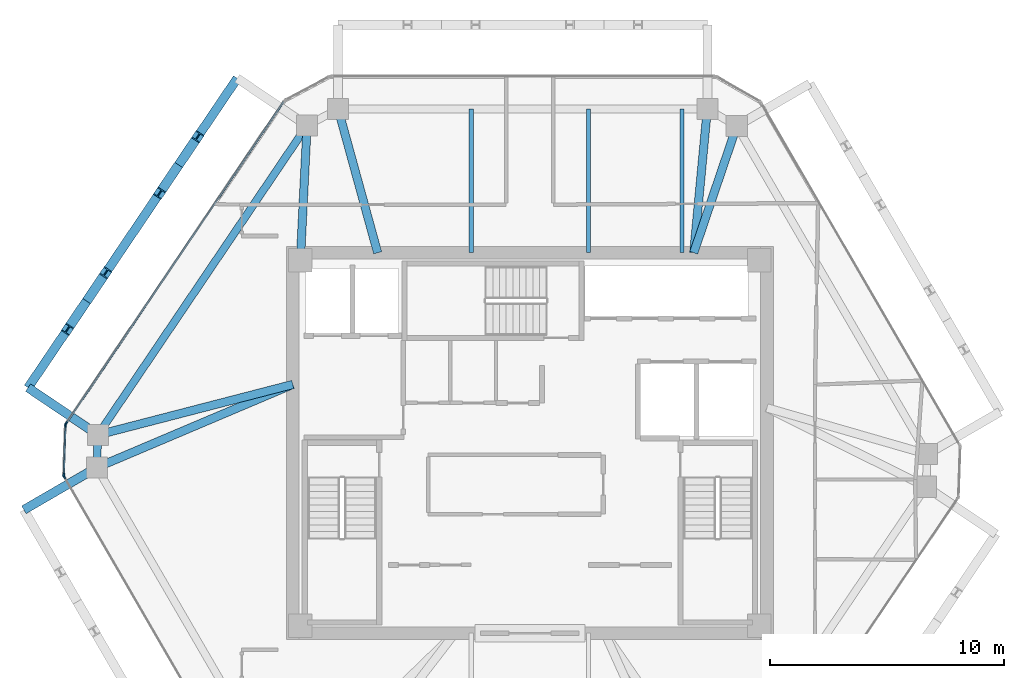
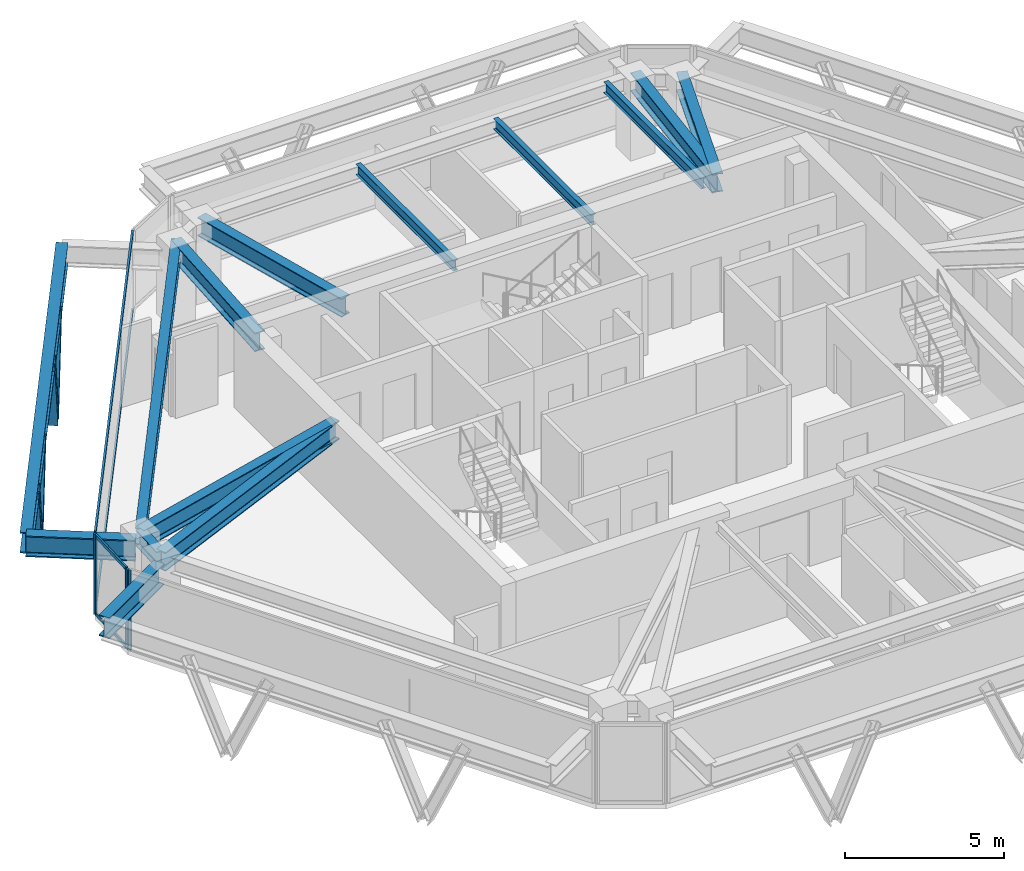
# One storey, part 4 of 11: 14 beams, 12 members, 3 elements without a shape of their own.
"""IFC4 building model written with IfcOpenShell, lengths in metres."""

from ifc_helpers import new_model, si_unit, direction, frame, origin, origin_2d, place, context, subcontext, project, spatial, rectangle, i_section, extrude, source, transform, mapped, material, layer, layer_set, material_profile, profile_set, type_object, type_shapes, element, aggregate, save


model = new_model("IFC4")

# Units and contexts
model_context = context("Model", 3, precision=1e-05, world=origin(), true_north=direction((0.0, 1.0)))
body_context = subcontext(model_context, "Body", "Model", "MODEL_VIEW")
ifc_project = project(units=[si_unit("LENGTHUNIT", "METRE"), si_unit("AREAUNIT", "SQUARE_METRE"), si_unit("VOLUMEUNIT", "CUBIC_METRE"), si_unit("PLANEANGLEUNIT", "RADIAN"), si_unit("MASSUNIT", "GRAM", prefix="KILO")], contexts=[model_context])

# Site, building, storey
site_placement = place(None, origin())
site = spatial("IfcSite", under=ifc_project, at=site_placement, CompositionType="ELEMENT")
building_placement = place(site_placement, origin())
building = spatial("IfcBuilding", under=site, at=building_placement, Name="Durnholm Broadcast Tower", CompositionType="ELEMENT")
storey_placement = place(building_placement, frame((0.0, 0.0, 218.300048828125)))
storey = spatial("IfcBuildingStorey", under=building, at=storey_placement, Name="L60", CompositionType="ELEMENT", Elevation=218.300048828125)

# Beams
ifc_material_1 = material(Name="Steel ASTM A992 Grade 50", Category="steel")
ifc_material_profile_1 = material_profile(ifc_material_1, i_section(OverallWidth=0.385009765625, OverallDepth=0.802978515625, WebThickness=0.023681640625, FlangeThickness=0.0419921875, FilletRadius=0.032958984375, at=origin_2d()), Name="W30X261")
ifc_profile_set_1 = profile_set([ifc_material_profile_1], Name="Steel ASTM A992 Grade 50")
beam_type_1 = type_object("IfcBeamType", Name="BM-EXO-TIE", PredefinedType="USERDEFINED", material=ifc_profile_set_1)
shared_shape_1 = source(origin(), body_context, "Body", "SweptSolid", [
    extrude(i_section(OverallWidth=0.385009765625, OverallDepth=0.802978515625, WebThickness=0.023681640625, FlangeThickness=0.0419921875, FilletRadius=0.032958984375, at=origin_2d()), origin(), (0.0, 0.0, 1.0), 3.4560546875),
])
for number, where, z_axis, x_axis, name in (
    (1, (-18.565673828125, 0.426513671875, 2.30859375), (-0.828413564093, 0.56011692246, 0.0), (-0.56011692246, -0.828413564093, 0.0), "L60 exoskeleton stand-off tie bracket F5.2"),
    (2, (-18.618896484375, -1.1201171875, 2.30859375), (-0.864876013532, -0.501985538852, 0.0), (0.501985538852, -0.864876013532, 0.0), "L60 exoskeleton stand-off tie bracket F6.1"),
):
    element("IfcBeam", number, at=place(storey_placement, frame(where, z_axis=z_axis, x_axis=x_axis)), inside=storey, type_object=beam_type_1, Name=name, ObjectType="GIRDER", PredefinedType="USERDEFINED", context=body_context, shape_type="MappedRepresentation", body=[
        mapped(shared_shape_1, transform((0.0, 0.0, 0.0), x_axis=(1.0, 0.0, 0.0), y_axis=(0.0, 1.0, 0.0), z_axis=(0.0, 0.0, 1.0), scale=1.0)),
    ])
ifc_material_profile_2 = material_profile(ifc_material_1, i_section(OverallWidth=0.3251953125, OverallDepth=0.6162109375, WebThickness=0.013916015625, FlangeThickness=0.021484375, FilletRadius=0.02783203125, at=origin_2d()), Name="W24X117")
ifc_profile_set_2 = profile_set([ifc_material_profile_2], Name="Steel ASTM A992 Grade 50")
beam_type_2 = type_object("IfcBeamType", Name="STL-SP-W24X117", PredefinedType="SPANDREL", material=ifc_profile_set_2)
shared_shape_2 = source(origin(), body_context, "Body", "SweptSolid", [
    extrude(i_section(OverallWidth=0.3251953125, OverallDepth=0.6162109375, WebThickness=0.013916015625, FlangeThickness=0.021484375, FilletRadius=0.02783203125, at=origin_2d()), origin(), (0.0, 0.0, 1.0), 1.39453125),
])
beam_1_placement = place(storey_placement, frame((-18.494384765625, -1.0478515625, 2.73681640625), z_axis=(0.034486393061, 0.999405167434, 0.0), x_axis=(-0.999405167434, 0.034486393061, 0.0)))
element("IfcBeam", 3, at=beam_1_placement, inside=storey, type_object=beam_type_2, Name="L60 perimeter spandrel girder 02", PredefinedType="SPANDREL", context=body_context, shape_type="MappedRepresentation", body=[
    mapped(shared_shape_2, transform((0.0, 0.0, 0.0), x_axis=(1.0, 0.0, 0.0), y_axis=(0.0, 1.0, 0.0), z_axis=(0.0, 0.0, 1.0), scale=1.0)),
])
shared_shape_3 = source(origin(), body_context, "Body", "SweptSolid", [
    extrude(i_section(OverallWidth=0.3251953125, OverallDepth=0.6162109375, WebThickness=0.013916015625, FlangeThickness=0.021484375, FilletRadius=0.02783203125, at=origin_2d()), origin(), (0.0, 0.0, 1.0), 15.947265625),
])
type_shapes(beam_type_2, [shared_shape_2, shared_shape_3])
beam_2_placement = place(storey_placement, frame((-18.4462890625, 0.345947265625, 2.73681640625), z_axis=(0.560062212489, 0.828450552623, 0.0), x_axis=(-0.828450552623, 0.560062212489, 0.0)))
element("IfcBeam", 4, at=beam_2_placement, inside=storey, type_object=beam_type_2, Name="L60 perimeter spandrel girder 03", PredefinedType="SPANDREL", context=body_context, shape_type="MappedRepresentation", body=[
    mapped(shared_shape_3, transform((0.0, 0.0, 0.0), x_axis=(1.0, 0.0, 0.0), y_axis=(0.0, 1.0, 0.0), z_axis=(0.0, 0.0, 1.0), scale=1.0)),
])
ifc_material_profile_3 = material_profile(ifc_material_1, i_section(OverallWidth=0.3564453125, OverallDepth=0.713623046875, WebThickness=0.01904296875, FlangeThickness=0.033935546875, FilletRadius=0.030517578125, at=origin_2d()), Name="W27X194")
ifc_profile_set_3 = profile_set([ifc_material_profile_3], Name="Steel ASTM A992 Grade 50")
beam_type_3 = type_object("IfcBeamType", Name="STL-GR-W27X194", PredefinedType="USERDEFINED", material=ifc_profile_set_3)
shared_shape_4 = source(origin(), body_context, "Body", "SweptSolid", [
    extrude(i_section(OverallWidth=0.3564453125, OverallDepth=0.713623046875, WebThickness=0.01904296875, FlangeThickness=0.033935546875, FilletRadius=0.030517578125, at=origin_2d()), origin(), (0.0, 0.0, 1.0), 5.764404296875),
])
beam_3_placement = place(storey_placement, frame((-9.800048828125, 7.800048828125, 2.688232421875), z_axis=(0.049468662109, 0.99877567625, 0.0), x_axis=(-0.99877567625, 0.049468662109, 0.0)))
element("IfcBeam", 5, at=beam_3_placement, inside=storey, type_object=beam_type_3, Name="L60 radial primary floor girder 04", ObjectType="GIRDER", PredefinedType="USERDEFINED", context=body_context, shape_type="MappedRepresentation", body=[
    mapped(shared_shape_4, transform((0.0, 0.0, 0.0), x_axis=(1.0, 0.0, 0.0), y_axis=(0.0, 1.0, 0.0), z_axis=(0.0, 0.0, 1.0), scale=1.0)),
])
shared_shape_5 = source(origin(), body_context, "Body", "SweptSolid", [
    extrude(i_section(OverallWidth=0.385009765625, OverallDepth=0.802978515625, WebThickness=0.023681640625, FlangeThickness=0.0419921875, FilletRadius=0.032958984375, at=origin_2d()), origin(), (0.0, 0.0, 1.0), 15.947021484375),
])
type_shapes(beam_type_1, [shared_shape_1, shared_shape_5])
beam_4_placement = place(storey_placement, frame((-12.497314453125, 15.573486328125, 2.30859375), z_axis=(-0.560069315853, -0.828445750451, 0.0), x_axis=(0.828445750451, -0.560069315853, 0.0)))
element("IfcBeam", 6, at=beam_4_placement, inside=storey, type_object=beam_type_1, Name="L60 exoskeleton collector spandrel F5", PredefinedType="SPANDREL", context=body_context, shape_type="MappedRepresentation", body=[
    mapped(shared_shape_5, transform((0.0, 0.0, 0.0), x_axis=(1.0, 0.0, 0.0), y_axis=(0.0, 1.0, 0.0), z_axis=(0.0, 0.0, 1.0), scale=1.0)),
])
shared_shape_6 = source(origin(), body_context, "Body", "SweptSolid", [
    extrude(i_section(OverallWidth=0.3564453125, OverallDepth=0.713623046875, WebThickness=0.01904296875, FlangeThickness=0.033935546875, FilletRadius=0.030517578125, at=origin_2d()), origin(), (0.0, 0.0, 1.0), 9.09033203125),
])
beam_5_placement = place(storey_placement, frame((-10.125, 2.5, 2.688232421875), z_axis=(-0.920692350722, -0.390289117607, 0.0), x_axis=(0.390289117607, -0.920692350722, 0.0)))
element("IfcBeam", 7, at=beam_5_placement, inside=storey, type_object=beam_type_3, Name="L60 radial primary floor girder 02", ObjectType="GIRDER", PredefinedType="USERDEFINED", context=body_context, shape_type="MappedRepresentation", body=[
    mapped(shared_shape_6, transform((0.0, 0.0, 0.0), x_axis=(1.0, 0.0, 0.0), y_axis=(0.0, 1.0, 0.0), z_axis=(0.0, 0.0, 1.0), scale=1.0)),
])
shared_shape_7 = source(origin(), body_context, "Body", "SweptSolid", [
    extrude(i_section(OverallWidth=0.3564453125, OverallDepth=0.713623046875, WebThickness=0.01904296875, FlangeThickness=0.033935546875, FilletRadius=0.030517578125, at=origin_2d()), origin(), (0.0, 0.0, 1.0), 8.595458984375),
])
beam_6_placement = place(storey_placement, frame((-10.125, 2.5, 2.688232421875), z_axis=(-0.968090619149, -0.250600385306, 0.0), x_axis=(0.250600385306, -0.968090619149, 0.0)))
element("IfcBeam", 8, at=beam_6_placement, inside=storey, type_object=beam_type_3, Name="L60 radial primary floor girder 03", ObjectType="GIRDER", PredefinedType="USERDEFINED", context=body_context, shape_type="MappedRepresentation", body=[
    mapped(shared_shape_7, transform((0.0, 0.0, 0.0), x_axis=(1.0, 0.0, 0.0), y_axis=(0.0, 1.0, 0.0), z_axis=(0.0, 0.0, 1.0), scale=1.0)),
])
shared_shape_8 = source(origin(), body_context, "Body", "SweptSolid", [
    extrude(i_section(OverallWidth=0.3564453125, OverallDepth=0.713623046875, WebThickness=0.01904296875, FlangeThickness=0.033935546875, FilletRadius=0.030517578125, at=origin_2d()), origin(), (0.0, 0.0, 1.0), 6.36474609375),
])
beam_7_placement = place(storey_placement, frame((-6.5, 8.125, 2.688232421875), z_axis=(-0.265168072834, 0.96420220553, 0.0), x_axis=(-0.96420220553, -0.265168072834, 0.0)))
element("IfcBeam", 9, at=beam_7_placement, inside=storey, type_object=beam_type_3, Name="L60 radial primary floor girder 05", ObjectType="GIRDER", PredefinedType="USERDEFINED", context=body_context, shape_type="MappedRepresentation", body=[
    mapped(shared_shape_8, transform((0.0, 0.0, 0.0), x_axis=(1.0, 0.0, 0.0), y_axis=(0.0, 1.0, 0.0), z_axis=(0.0, 0.0, 1.0), scale=1.0)),
])
shared_shape_9 = source(origin(), body_context, "Body", "SweptSolid", [
    extrude(i_section(OverallWidth=0.3564453125, OverallDepth=0.713623046875, WebThickness=0.01904296875, FlangeThickness=0.033935546875, FilletRadius=0.030517578125, at=origin_2d()), origin(), (0.0, 0.0, 1.0), 6.164306640625),
])
beam_8_placement = place(storey_placement, frame((7.0, 8.125, 2.688232421875), z_axis=(0.094024068139, 0.995569924521, 0.0), x_axis=(-0.995569924521, 0.094024068139, 0.0)))
element("IfcBeam", 10, at=beam_8_placement, inside=storey, type_object=beam_type_3, Name="L60 radial primary floor girder 06", ObjectType="GIRDER", PredefinedType="USERDEFINED", context=body_context, shape_type="MappedRepresentation", body=[
    mapped(shared_shape_9, transform((0.0, 0.0, 0.0), x_axis=(1.0, 0.0, 0.0), y_axis=(0.0, 1.0, 0.0), z_axis=(0.0, 0.0, 1.0), scale=1.0)),
])
shared_shape_10 = source(origin(), body_context, "Body", "SweptSolid", [
    extrude(i_section(OverallWidth=0.3564453125, OverallDepth=0.713623046875, WebThickness=0.01904296875, FlangeThickness=0.033935546875, FilletRadius=0.030517578125, at=origin_2d()), origin(), (0.0, 0.0, 1.0), 5.716064453125),
])
type_shapes(beam_type_3, [shared_shape_4, shared_shape_6, shared_shape_7, shared_shape_8, shared_shape_9, shared_shape_10])
beam_9_placement = place(storey_placement, frame((7.0, 8.125, 2.688232421875), z_axis=(0.321450919754, 0.946926241156, 0.0), x_axis=(-0.946926241156, 0.321450919754, 0.0)))
element("IfcBeam", 11, at=beam_9_placement, inside=storey, type_object=beam_type_3, Name="L60 radial primary floor girder 07", ObjectType="GIRDER", PredefinedType="USERDEFINED", context=body_context, shape_type="MappedRepresentation", body=[
    mapped(shared_shape_10, transform((0.0, 0.0, 0.0), x_axis=(1.0, 0.0, 0.0), y_axis=(0.0, 1.0, 0.0), z_axis=(0.0, 0.0, 1.0), scale=1.0)),
])
ifc_material_profile_4 = material_profile(ifc_material_1, i_section(OverallWidth=0.177734375, OverallDepth=0.40673828125, WebThickness=0.0078125, FlangeThickness=0.0126953125, FilletRadius=0.01904296875, at=origin_2d()), Name="W16X40")
ifc_profile_set_4 = profile_set([ifc_material_profile_4], Name="Steel ASTM A992 Grade 50")
beam_type_4 = type_object("IfcBeamType", Name="STL-BJ-W16X40", PredefinedType="JOIST", material=ifc_profile_set_4)
shared_shape_11 = source(origin(), body_context, "Body", "SweptSolid", [
    extrude(i_section(OverallWidth=0.177734375, OverallDepth=0.40673828125, WebThickness=0.0078125, FlangeThickness=0.0126953125, FilletRadius=0.01904296875, at=origin_2d()), origin(), (0.0, 0.0, 1.0), 6.136962890625),
])
type_shapes(beam_type_4, [shared_shape_11])
for number, where, z_axis, x_axis, name in (
    (12, (-2.5, 8.125, 2.841552734375), (0.0, 1.0, 0.0), (-1.0, 0.0, 0.0), "L60 secondary floor joist 5.2"),
    (13, (2.5, 8.125, 2.841552734375), (0.0, 1.0, 0.0), (-1.0, 0.0, 0.0), "L60 secondary floor joist 6.2"),
    (14, (6.5, 8.125, 2.841552734375), (0.0, 1.0, 0.0), (-1.0, 0.0, 0.0), "L60 secondary floor joist 7.2"),
):
    element("IfcBeam", number, at=place(storey_placement, frame(where, z_axis=z_axis, x_axis=x_axis)), inside=storey, type_object=beam_type_4, Name=name, PredefinedType="JOIST", context=body_context, shape_type="MappedRepresentation", body=[
        mapped(shared_shape_11, transform((0.0, 0.0, 0.0), x_axis=(1.0, 0.0, 0.0), y_axis=(0.0, 1.0, 0.0), z_axis=(0.0, 0.0, 1.0), scale=1.0)),
    ])

# Members
ifc_material_2 = material(Name="Steel ASTM A913 Grade 65", Category="steel")
ifc_material_profile_5 = material_profile(ifc_material_2, i_section(OverallWidth=0.40625, OverallDepth=0.416015625, WebThickness=0.02978515625, FlangeThickness=0.048095703125, FilletRadius=0.030517578125, at=origin_2d()), Name="W14X257")
ifc_profile_set_5 = profile_set([ifc_material_profile_5], Name="Steel ASTM A913 Grade 65")
member_type_1 = type_object("IfcMemberType", Name="STL-DG-W14X257", PredefinedType="BRACE", material=ifc_profile_set_5)
shared_shape_12 = source(origin(), body_context, "Body", "SweptSolid", [
    extrude(i_section(OverallWidth=0.40625, OverallDepth=0.416015625, WebThickness=0.02978515625, FlangeThickness=0.048095703125, FilletRadius=0.030517578125, at=origin_2d()), origin(), (0.0, 0.0, 1.0), 3.60791015625),
])
type_shapes(member_type_1, [shared_shape_12])
for number, where, z_axis, x_axis, name in (
    (15, (-14.998046875, 11.874267578125, -0.991455078125), (0.226349134478, 0.334888450383, 0.914667040579), (-0.828505003222, 0.559981660089, 0.0), "L60 stand-off diagrid brace F5.D1.1"),
    (16, (-14.998046875, 11.874267578125, -0.991455078125), (-0.226354263477, -0.334828369412, 0.914687766641), (0.828452496411, -0.560059337206, 0.0), "L60 stand-off diagrid brace F5.D1.2"),
    (17, (-18.927978515625, 6.061279296875, -0.991455078125), (0.226354263477, 0.334828369412, 0.914687766641), (-0.828452496411, 0.560059337206, 0.0), "L60 stand-off diagrid brace F5.D2.1"),
    (18, (-18.927978515625, 6.061279296875, -0.991455078125), (-0.226354263477, -0.334828369412, 0.914687766641), (0.828452496411, -0.560059337206, 0.0), "L60 stand-off diagrid brace F5.D2.2"),
):
    element("IfcMember", number, at=place(storey_placement, frame(where, z_axis=z_axis, x_axis=x_axis)), inside=storey, type_object=member_type_1, Name=name, PredefinedType="BRACE", context=body_context, shape_type="MappedRepresentation", body=[
        mapped(shared_shape_12, transform((0.0, 0.0, 0.0), x_axis=(1.0, 0.0, 0.0), y_axis=(0.0, 1.0, 0.0), z_axis=(0.0, 0.0, 1.0), scale=1.0)),
    ])

# Curtain wall, members
ifc_material_3 = material(Name="Aluminium and Solar Control IGU", Category="aluminium")
ifc_layer_1 = layer(ifc_material_3, 0.1650390625)
ifc_layer_set_1 = layer_set([ifc_layer_1], Name="Aluminium and Solar Control IGU")
curtain_wall_type_1 = type_object("IfcCurtainWallType", Name="CW-SYS-5", PredefinedType="NOTDEFINED", material=ifc_layer_set_1)
curtain_wall_1_placement = place(storey_placement, origin())
curtain_wall_1 = element("IfcCurtainWall", 19, at=curtain_wall_1_placement, inside=storey, type_object=curtain_wall_type_1, Name="L60 curtain wall CW-CORNER CW-L60-CRN-01", PredefinedType="NOTDEFINED")
ifc_material_4 = material(Name="Aluminium 6063-T6", Category="aluminium")
ifc_material_profile_6 = material_profile(ifc_material_4, rectangle(XDim=0.06494140625, YDim=0.1298828125, at=origin_2d()), Name="CWT65X130")
ifc_profile_set_6 = profile_set([ifc_material_profile_6], Name="Aluminium 6063-T6")
member_type_2 = type_object("IfcMemberType", Name="CW-SYS-5-TRN", PredefinedType="USERDEFINED", material=ifc_profile_set_6)
shared_shape_13 = source(origin(), body_context, "Body", "SweptSolid", [
    extrude(rectangle(XDim=0.06494140625, YDim=0.1298828125, at=origin_2d()), origin(), (0.0, 0.0, 1.0), 2.070068359375),
])
type_shapes(member_type_2, [shared_shape_13])
member_1_placement = place(storey_placement, frame((-19.905029296875, -1.33740234375, 0.032470703125), z_axis=(0.034320104965, 0.999410891673, 0.0), x_axis=(-0.999410891673, 0.034320104965, 0.0)))
member_1 = element("IfcMember", 20, at=member_1_placement, type_object=member_type_2, Name="CW-CORNER transom 1.1", ObjectType="TRANSOM", PredefinedType="USERDEFINED", context=body_context, shape_type="MappedRepresentation", body=[
    mapped(shared_shape_13, transform((0.0, 0.0, 0.0), x_axis=(1.0, 0.0, 0.0), y_axis=(0.0, 1.0, 0.0), z_axis=(0.0, 0.0, 1.0), scale=1.0)),
])
member_2_placement = place(storey_placement, frame((-19.905029296875, -1.33740234375, 3.02734375), z_axis=(0.034320104965, 0.999410891673, 0.0), x_axis=(-0.999410891673, 0.034320104965, 0.0)))
member_2 = element("IfcMember", 21, at=member_2_placement, type_object=member_type_2, Name="CW-CORNER transom 1.2", ObjectType="TRANSOM", PredefinedType="USERDEFINED", context=body_context, shape_type="MappedRepresentation", body=[
    mapped(shared_shape_13, transform((0.0, 0.0, 0.0), x_axis=(1.0, 0.0, 0.0), y_axis=(0.0, 1.0, 0.0), z_axis=(0.0, 0.0, 1.0), scale=1.0)),
])
ifc_material_profile_7 = material_profile(ifc_material_4, rectangle(XDim=0.06494140625, YDim=0.1650390625, at=origin_2d()), Name="CWM65X165")
ifc_profile_set_7 = profile_set([ifc_material_profile_7], Name="Aluminium 6063-T6")
member_type_3 = type_object("IfcMemberType", Name="CW-SYS-5-MUL", PredefinedType="MULLION", material=ifc_profile_set_7)
shared_shape_14 = source(origin(), body_context, "Body", "SweptSolid", [
    extrude(rectangle(XDim=0.06494140625, YDim=0.1650390625, at=origin_2d()), origin(), (0.0, 0.0, 1.0), 3.06005859375),
])
type_shapes(member_type_3, [shared_shape_14])
member_3_placement = place(storey_placement, frame((-19.90625, -1.369873046875, 0.0), z_axis=(0.0, 0.0, 1.0), x_axis=(-0.999410955514, 0.034318245849, 0.0)))
member_3 = element("IfcMember", 22, at=member_3_placement, type_object=member_type_3, Name="CW-CORNER mullion 1", PredefinedType="MULLION", context=body_context, shape_type="MappedRepresentation", body=[
    mapped(shared_shape_14, transform((0.0, 0.0, 0.0), x_axis=(1.0, 0.0, 0.0), y_axis=(0.0, 1.0, 0.0), z_axis=(0.0, 0.0, 1.0), scale=1.0)),
])
member_4_placement = place(storey_placement, frame((-19.8330078125, 0.763916015625, 0.0), z_axis=(0.0, 0.0, 1.0), x_axis=(-0.999410955514, 0.034318245849, 0.0)))
member_4 = element("IfcMember", 23, at=member_4_placement, type_object=member_type_3, Name="CW-CORNER mullion 2", PredefinedType="MULLION", context=body_context, shape_type="MappedRepresentation", body=[
    mapped(shared_shape_14, transform((0.0, 0.0, 0.0), x_axis=(1.0, 0.0, 0.0), y_axis=(0.0, 1.0, 0.0), z_axis=(0.0, 0.0, 1.0), scale=1.0)),
])
aggregate(curtain_wall_1, [member_3, member_4, member_1, member_2])

# Curtain wall, member
ifc_layer_2 = layer(ifc_material_3, 0.18994140625)
ifc_layer_set_2 = layer_set([ifc_layer_2], Name="Aluminium and Solar Control IGU")
curtain_wall_type_2 = type_object("IfcCurtainWallType", Name="CW-SYS-4", PredefinedType="NOTDEFINED", material=ifc_layer_set_2)
curtain_wall_2_placement = place(storey_placement, origin())
curtain_wall_2 = element("IfcCurtainWall", 24, at=curtain_wall_2_placement, inside=storey, type_object=curtain_wall_type_2, Name="L60 curtain wall CW-Z34-VIS CW-L60-F02", PredefinedType="NOTDEFINED")
ifc_material_profile_8 = material_profile(ifc_material_4, rectangle(XDim=0.070068359375, YDim=0.18994140625, at=origin_2d()), Name="CWM70X190")
ifc_profile_set_8 = profile_set([ifc_material_profile_8], Name="Aluminium 6063-T6")
member_type_4 = type_object("IfcMemberType", Name="CW-SYS-4-MUL", PredefinedType="MULLION", material=ifc_profile_set_8)
shared_shape_15 = source(origin(), body_context, "Body", "SweptSolid", [
    extrude(rectangle(XDim=0.070068359375, YDim=0.18994140625, at=origin_2d()), origin(), (0.0, 0.0, 1.0), 3.06005859375),
])
type_shapes(member_type_4, [shared_shape_15])
member_5_placement = place(storey_placement, frame((-19.812255859375, 0.825439453125, 0.0), z_axis=(0.0, 0.0, 1.0), x_axis=(-0.828443431662, 0.560072745753, 0.0)))
member_5 = element("IfcMember", 25, at=member_5_placement, type_object=member_type_4, Name="CW-Z34-VIS mullion 1", PredefinedType="MULLION", context=body_context, shape_type="MappedRepresentation", body=[
    mapped(shared_shape_15, transform((0.0, 0.0, 0.0), x_axis=(1.0, 0.0, 0.0), y_axis=(0.0, 1.0, 0.0), z_axis=(0.0, 0.0, 1.0), scale=1.0)),
])

curtain_wall_3_placement = place(storey_placement, origin())
curtain_wall_3 = element("IfcCurtainWall", 26, at=curtain_wall_3_placement, inside=storey, type_object=curtain_wall_type_2, Name="L60 curtain wall CW-Z34-VIS CW-L60-F12", PredefinedType="NOTDEFINED")
member_6_placement = place(storey_placement, frame((-19.8896484375, -1.4326171875, 0.0), z_axis=(0.0, 0.0, 1.0), x_axis=(-0.864899883824, -0.50194441023, 0.0)))
member_6 = element("IfcMember", 27, at=member_6_placement, type_object=member_type_4, Name="CW-Z34-VIS mullion 2", PredefinedType="MULLION", context=body_context, shape_type="MappedRepresentation", body=[
    mapped(shared_shape_15, transform((0.0, 0.0, 0.0), x_axis=(1.0, 0.0, 0.0), y_axis=(0.0, 1.0, 0.0), z_axis=(0.0, 0.0, 1.0), scale=1.0)),
])
aggregate(curtain_wall_3, [member_6])

# Member
ifc_material_profile_9 = material_profile(ifc_material_4, rectangle(XDim=0.070068359375, YDim=0.14990234375, at=origin_2d()), Name="CWT70X150")
ifc_profile_set_9 = profile_set([ifc_material_profile_9], Name="Aluminium 6063-T6")
member_type_5 = type_object("IfcMemberType", Name="CW-SYS-4-TRN", PredefinedType="USERDEFINED", material=ifc_profile_set_9)
shared_shape_16 = source(origin(), body_context, "Body", "SweptSolid", [
    extrude(rectangle(XDim=0.070068359375, YDim=0.14990234375, at=origin_2d()), origin(), (0.0, 0.0, 1.0), 16.55859375),
])
type_shapes(member_type_5, [shared_shape_16])
member_7_placement = place(storey_placement, frame((-19.79248046875, 0.8544921875, 0.034912109375), z_axis=(0.560071338091, 0.828444383317, 0.0), x_axis=(-0.828444383317, 0.560071338091, 0.0)))
member_7 = element("IfcMember", 28, at=member_7_placement, type_object=member_type_5, Name="CW-Z34-VIS transom 1.1", ObjectType="TRANSOM", PredefinedType="USERDEFINED", context=body_context, shape_type="MappedRepresentation", body=[
    mapped(shared_shape_16, transform((0.0, 0.0, 0.0), x_axis=(1.0, 0.0, 0.0), y_axis=(0.0, 1.0, 0.0), z_axis=(0.0, 0.0, 1.0), scale=1.0)),
])

member_8_placement = place(storey_placement, frame((-19.79248046875, 0.8544921875, 3.02490234375), z_axis=(0.560071338091, 0.828444383317, 0.0), x_axis=(-0.828444383317, 0.560071338091, 0.0)))
member_8 = element("IfcMember", 29, at=member_8_placement, type_object=member_type_5, Name="CW-Z34-VIS transom 1.2", ObjectType="TRANSOM", PredefinedType="USERDEFINED", context=body_context, shape_type="MappedRepresentation", body=[
    mapped(shared_shape_16, transform((0.0, 0.0, 0.0), x_axis=(1.0, 0.0, 0.0), y_axis=(0.0, 1.0, 0.0), z_axis=(0.0, 0.0, 1.0), scale=1.0)),
])

aggregate(curtain_wall_2, [member_5, member_7, member_8])

save(model, "model.ifc")
